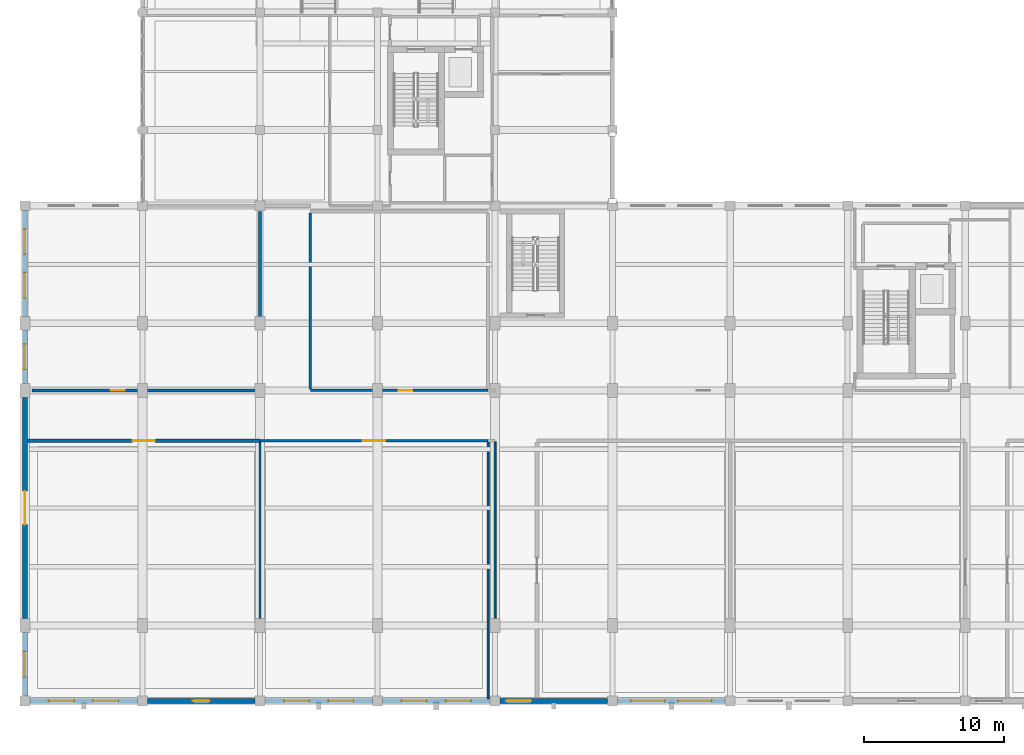
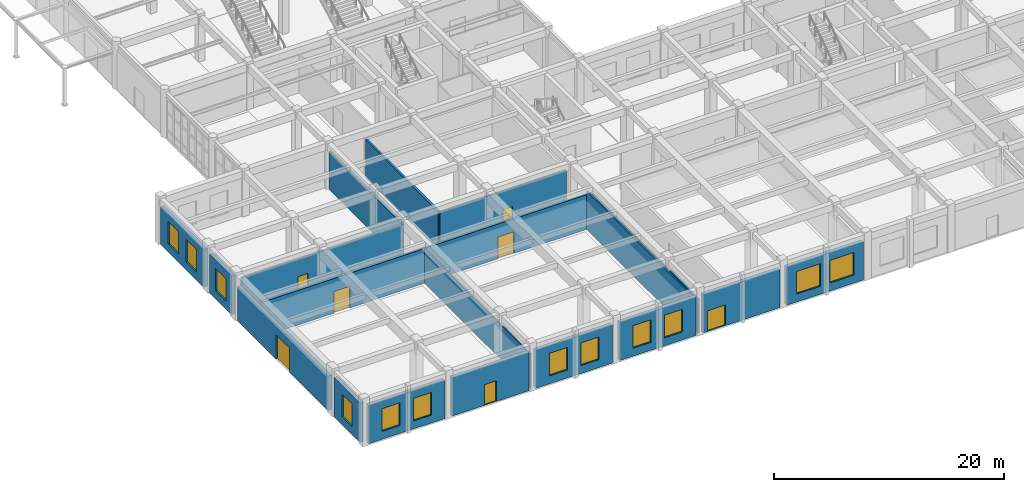
# One storey, part 55 of 80: 19 walls, 12 windows, 7 doors, 19 openings.
"""IFC4 building model written with IfcOpenShell, lengths in metres."""

import ifcopenshell
import ifcopenshell.guid

model = None  # the IFC model being written
_history = None  # IfcOwnerHistory: only IFC2X3 demands one
_inside = {}  # id of a spatial element -> (the spatial element, [elements in it])
_under = {}  # id of a project, library or spatial element -> (it, [spatial elements below it])
_declared = {}  # id of a project -> (the project, [libraries it declares])
_typed = {}  # id of a type object -> (the type object, [elements of that type])
_made_of = {}  # id of a material, layer set ... -> (it, [elements and type objects made of it])


def new_model(schema):
    """Start an empty IFC model of exactly this schema.

    Asked for "IFC4X3", IfcOpenShell would pick the latest addendum, in which some entities
    have other attributes; the version numbers below select the first issue.
    IFC2X3 requires an IfcOwnerHistory on every rooted entity: one is made here for all.
    """
    global model, _history
    if schema == "IFC4X3":
        model = ifcopenshell.file(schema_version=(4, 3, 0, 0))
    else:
        model = ifcopenshell.file(schema=schema)
    _inside.clear()
    _under.clear()
    _declared.clear()
    _typed.clear()
    _made_of.clear()
    _history = None
    if model.schema == "IFC2X3":
        org = make("IfcOrganization", Name="unknown")
        user = make(
            "IfcPersonAndOrganization",
            ThePerson=make("IfcPerson", FamilyName="unknown"),
            TheOrganization=org,
        )
        app = make(
            "IfcApplication",
            ApplicationDeveloper=org,
            Version="unknown",
            ApplicationFullName="unknown",
            ApplicationIdentifier="unknown",
        )
        _history = make(
            "IfcOwnerHistory",
            OwningUser=user,
            OwningApplication=app,
            ChangeAction="ADDED",
            CreationDate=0,
        )
    return model


def make(cls, **values):
    """One entity of the class cls with the attributes given. An attribute that is None is left unset."""
    return model.create_entity(
        cls, **{name: value for name, value in values.items() if value is not None}
    )


def rooted(cls, **values):
    """An entity with a GlobalId (a new one), such as an element, a storey or a relation."""
    return make(cls, GlobalId=ifcopenshell.guid.new(), OwnerHistory=_history, **values)


def si_unit(unit_type, name, prefix=None):
    """IfcSIUnit, for example si_unit("LENGTHUNIT", "METRE", prefix="MILLI")."""
    return make("IfcSIUnit", UnitType=unit_type, Prefix=prefix, Name=name)


def assignment(units):
    """IfcUnitAssignment: the units of a project."""
    return None if units is None else make("IfcUnitAssignment", Units=units)


def point(xyz):
    """IfcCartesianPoint."""
    return None if xyz is None else make("IfcCartesianPoint", Coordinates=xyz)


def direction(xyz):
    """IfcDirection."""
    return None if xyz is None else make("IfcDirection", DirectionRatios=xyz)


def frame(location, z_axis=None, x_axis=None):
    """IfcAxis2Placement3D, a coordinate frame: its origin and axes. An axis left out is left unset."""
    return make(
        "IfcAxis2Placement3D",
        Location=point(location),
        Axis=direction(z_axis),
        RefDirection=direction(x_axis),
    )


def frame_2d(location, x_axis=None):
    """IfcAxis2Placement2D, a coordinate frame in the plane: its origin and x axis."""
    return make(
        "IfcAxis2Placement2D", Location=point(location), RefDirection=direction(x_axis)
    )


def origin():
    """The frame at (0, 0, 0) with its axes left unset."""
    return frame((0.0, 0.0, 0.0))


def place(relative_to, where):
    """IfcLocalPlacement: puts the frame where relative to a parent placement (None: the world)."""
    return make(
        "IfcLocalPlacement", PlacementRelTo=relative_to, RelativePlacement=where
    )


def context(
    kind, dimensions, precision=None, world=None, true_north=None, identifier=None
):
    """IfcGeometricRepresentationContext, for example the 3D "Model" context."""
    return make(
        "IfcGeometricRepresentationContext",
        ContextIdentifier=identifier,
        ContextType=kind,
        CoordinateSpaceDimension=dimensions,
        Precision=precision,
        WorldCoordinateSystem=world,
        TrueNorth=true_north,
    )


def subcontext(parent, identifier, kind, view, scale=None):
    """IfcGeometricRepresentationSubContext, for example "Body" below "Model"."""
    return make(
        "IfcGeometricRepresentationSubContext",
        ContextIdentifier=identifier,
        ContextType=kind,
        ParentContext=parent,
        TargetScale=scale,
        TargetView=view,
    )


def project(units=None, contexts=None):
    """IfcProject with its units and contexts."""
    return rooted(
        "IfcProject",
        Name="project",
        RepresentationContexts=contexts,
        UnitsInContext=assignment(units),
    )


def spatial(cls, under=None, at=None, **own):
    """A site, building, storey or space (cls), placed at a placement, below another one or the project."""
    s = rooted(cls, ObjectPlacement=at, **own)
    if under is not None:
        _under.setdefault(under.id(), (under, []))[1].append(s)
    return s


def profile(cls, at=None, kind="AREA", **sizes):
    """A parametric profile (cls). Its sizes go by their IFC names, for example OverallWidth=200.0."""
    return make(cls, ProfileType=kind, Position=at, **sizes)


def rectangle(**sizes):
    """IfcRectangleProfileDef."""
    return profile("IfcRectangleProfileDef", **sizes)


def extrude(swept, where, along, depth):
    """IfcExtrudedAreaSolid: the profile swept, set in the frame where, extruded along a direction by depth."""
    return make(
        "IfcExtrudedAreaSolid",
        SweptArea=swept,
        Position=where,
        ExtrudedDirection=direction(along),
        Depth=depth,
    )


def shape(context_of_items, identifier, shape_type, items):
    """IfcShapeRepresentation: the items that make up one representation, for example the "Body"."""
    return make(
        "IfcShapeRepresentation",
        ContextOfItems=context_of_items,
        RepresentationIdentifier=identifier,
        RepresentationType=shape_type,
        Items=items,
    )


def material(Name=None, Category=None):
    """IfcMaterial."""
    return make("IfcMaterial", Name=Name, Category=Category)


def layer(
    of_material, thickness, ventilated=None, Name=None, Category=None, Priority=None
):
    """IfcMaterialLayer: one layer of a wall or slab, of a material (None: an air gap)."""
    return make(
        "IfcMaterialLayer",
        Material=of_material,
        LayerThickness=thickness,
        IsVentilated=ventilated,
        Name=Name,
        Category=Category,
        Priority=Priority,
    )


def layer_set(layers, Name=None):
    """IfcMaterialLayerSet."""
    return make("IfcMaterialLayerSet", MaterialLayers=layers, LayerSetName=Name)


def made_of(thing, what):
    """Note that an element or type object is made of a material, layer set ...; save() writes the relation."""
    if what is not None:
        _made_of.setdefault(what.id(), (what, []))[1].append(thing)
    return thing


def type_object(cls, material=None, **own):
    """A type object (cls), such as IfcWallType, which elements share."""
    return made_of(rooted(cls, **own), material)


def element(
    cls,
    number,
    at=None,
    inside=None,
    cuts=None,
    type_object=None,
    material=None,
    context=None,
    identifier="Body",
    shape_type=None,
    held_by="IfcProductDefinitionShape",
    body=None,
    shapes=None,
    **own,
):
    """One element of the class cls, such as IfcWall. Its Tag is "e" and its number.

    at: its placement. inside: the storey or other place that contains it. cuts: it is an
    opening in that element (IfcRelVoidsElement). A single representation is given by context,
    identifier, shape_type and body (its items); several are given by shapes. held_by: the class
    of the entity that holds the representations. save() writes the other relations.
    """
    e = rooted(cls, Tag="e%d" % number, ObjectPlacement=at, **own)
    if body is not None:
        shapes = [shape(context, identifier, shape_type, body)]
    if shapes is not None:
        e.Representation = make(held_by, Representations=shapes)
    if inside is not None:
        _inside.setdefault(inside.id(), (inside, []))[1].append(e)
    if cuts is not None:
        rooted(
            "IfcRelVoidsElement", RelatingBuildingElement=cuts, RelatedOpeningElement=e
        )
    if type_object is not None:
        _typed.setdefault(type_object.id(), (type_object, []))[1].append(e)
    return made_of(e, material)


def fill(opening, filler):
    """IfcRelFillsElement: the door or window that sits in an opening."""
    return rooted(
        "IfcRelFillsElement",
        RelatingOpeningElement=opening,
        RelatedBuildingElement=filler,
    )


def aggregate(whole, parts):
    """IfcRelAggregates: a whole, such as a stair, and the parts it consists of."""
    return rooted("IfcRelAggregates", RelatingObject=whole, RelatedObjects=parts)


def save(model, path):
    """Write the relations noted so far, then the file.

    IfcRelAggregates (storeys below a building ...), IfcRelContainedInSpatialStructure (elements
    in a storey), IfcRelDefinesByType, IfcRelAssociatesMaterial and IfcRelDeclares: one each for
    every whole, place, type object, material and project.
    """
    for whole, parts in _under.values():
        aggregate(whole, parts)
    for where, things in _inside.values():
        rooted(
            "IfcRelContainedInSpatialStructure",
            RelatedElements=things,
            RelatingStructure=where,
        )
    for kind, things in _typed.values():
        rooted("IfcRelDefinesByType", RelatedObjects=things, RelatingType=kind)
    for what, things in _made_of.values():
        rooted("IfcRelAssociatesMaterial", RelatedObjects=things, RelatingMaterial=what)
    for by, libraries in _declared.values():
        rooted("IfcRelDeclares", RelatingContext=by, RelatedDefinitions=libraries)
    model.write(path)


model = new_model("IFC4")

# Units and contexts
model_context = context("Model", 3, precision=1e-05, world=origin(), true_north=direction((0.0, 1.0)))
body_context = subcontext(model_context, "Body", "Model", "MODEL_VIEW")
ifc_project = project(units=[si_unit("LENGTHUNIT", "METRE"), si_unit("AREAUNIT", "SQUARE_METRE"), si_unit("VOLUMEUNIT", "CUBIC_METRE"), si_unit("PLANEANGLEUNIT", "RADIAN"), si_unit("MASSUNIT", "GRAM", prefix="KILO")], contexts=[model_context])

# Site, building, storey
site_placement = place(None, origin())
site = spatial("IfcSite", under=ifc_project, at=site_placement, CompositionType="ELEMENT")
building_placement = place(site_placement, origin())
building = spatial("IfcBuilding", under=site, at=building_placement, Name="Krzemoval Escarpment Law Courts", CompositionType="ELEMENT")
storey_placement = place(building_placement, origin())
storey = spatial("IfcBuildingStorey", under=building, at=storey_placement, Name="L00", CompositionType="ELEMENT", Elevation=0.0)

# Wall, openings, windows
ifc_material_1 = material(Name="Precast concrete C40/50", Category="concrete")
ifc_layer_1 = layer(ifc_material_1, 0.360107421875)
ifc_layer_set_1 = layer_set([ifc_layer_1], Name="Precast concrete C40/50")
wall_type_1 = type_object("IfcWallType", Name="WL-EXT-360", PredefinedType="SOLIDWALL", material=ifc_layer_set_1)
wall_1_placement = place(storey_placement, frame((50.050048828125, 0.0, 0.0), z_axis=(0.0, 0.0, 1.0), x_axis=(-1.0, 0.0, 0.0)))
wall_1 = element("IfcWall", 1, at=wall_1_placement, inside=storey, type_object=wall_type_1, Name="Exterior Wall EW-L00-0141", PredefinedType="SOLIDWALL", context=body_context, shape_type="SweptSolid", body=[
    extrude(rectangle(XDim=7.699951171875, YDim=0.360107421875, at=frame_2d((3.85009765625, 0.0))), origin(), (0.0, 0.0, 1.0), 4.070068359375),
])
opening_1_placement = place(wall_1_placement, frame((0.967041015625, 0.0, 0.85009765625)))
opening_1 = element("IfcOpeningElement", 2, at=opening_1_placement, cuts=wall_1, Name="Opening WN-L00-0096", PredefinedType="OPENING", context=body_context, shape_type="SweptSolid", body=[
    extrude(rectangle(XDim=2.39990234375, YDim=2.39990234375, at=frame_2d((1.199951171875, 1.199951171875))), frame((0.0, 0.19505, 0.0), z_axis=(0.0, -1.0, 0.0), x_axis=(1.0, 0.0, 0.0)), (0.0, 0.0, 1.0), 0.39011),
])
opening_2_placement = place(wall_1_placement, frame((4.3330078125, 0.0, 0.85009765625)))
opening_2 = element("IfcOpeningElement", 3, at=opening_2_placement, cuts=wall_1, Name="Opening WN-L00-0097", PredefinedType="OPENING", context=body_context, shape_type="SweptSolid", body=[
    extrude(rectangle(XDim=2.39990234375, YDim=2.39990234375, at=frame_2d((1.199951171875, 1.199951171875))), frame((0.0, 0.19505, 0.0), z_axis=(0.0, -1.0, 0.0), x_axis=(1.0, 0.0, 0.0)), (0.0, 0.0, 1.0), 0.39011),
])
ifc_material_2 = material(Name="Thermally Broken Aluminium Frame with Triple Low-E Acoustic Glass", Category="aluminium")
window_type_1 = type_object("IfcWindowType", Name="WN-2400x2400", PartitioningType="SINGLE_PANEL", PredefinedType="WINDOW", material=ifc_material_2)
window_1_placement = place(opening_1_placement, origin())
window_1 = element("IfcWindow", 4, at=window_1_placement, inside=storey, type_object=window_type_1, Name="Facade Window WN-L00-0096", OverallHeight=2.39990234375, OverallWidth=2.39990234375, PartitioningType="SINGLE_PANEL", PredefinedType="WINDOW", context=body_context, shape_type="SweptSolid", body=[
    extrude(rectangle(XDim=2.39990234375, YDim=2.39990234375, at=frame_2d((1.199951171875, 1.199951171875))), frame((0.0, 0.030029296875, 0.0), z_axis=(0.0, -1.0, 0.0), x_axis=(1.0, 0.0, 0.0)), (0.0, 0.0, 1.0), 0.06005859375),
])
fill(opening_1, window_1)
window_2_placement = place(opening_2_placement, origin())
window_2 = element("IfcWindow", 5, at=window_2_placement, inside=storey, type_object=window_type_1, Name="Facade Window WN-L00-0097", OverallHeight=2.39990234375, OverallWidth=2.39990234375, PartitioningType="SINGLE_PANEL", PredefinedType="WINDOW", context=body_context, shape_type="SweptSolid", body=[
    extrude(rectangle(XDim=2.39990234375, YDim=2.39990234375, at=frame_2d((1.199951171875, 1.199951171875))), frame((0.0, 0.030029296875, 0.0), z_axis=(0.0, -1.0, 0.0), x_axis=(1.0, 0.0, 0.0)), (0.0, 0.0, 1.0), 0.06005859375),
])
fill(opening_2, window_2)

# Wall, opening, door
wall_2_placement = place(storey_placement, frame((41.64990234375, 0.0, 0.0), z_axis=(0.0, 0.0, 1.0), x_axis=(-1.0, 0.0, 0.0)))
wall_2 = element("IfcWall", 6, at=wall_2_placement, inside=storey, type_object=wall_type_1, Name="Exterior Wall EW-L00-0142", PredefinedType="SOLIDWALL", context=body_context, shape_type="SweptSolid", body=[
    extrude(rectangle(XDim=7.699951171875, YDim=0.360107421875, at=frame_2d((3.85009765625, 0.0))), origin(), (0.0, 0.0, 1.0), 4.070068359375),
])
opening_3_placement = place(wall_2_placement, frame((5.449951171875, 0.0, 0.0)))
opening_3 = element("IfcOpeningElement", 7, at=opening_3_placement, cuts=wall_2, Name="Opening E09A", PredefinedType="OPENING", context=body_context, shape_type="SweptSolid", body=[
    extrude(rectangle(XDim=1.800048828125, YDim=2.199951171875, at=frame_2d((0.89990234375, 1.10009765625))), frame((0.0, 0.19505, 0.0), z_axis=(0.0, -1.0, 0.0), x_axis=(1.0, 0.0, 0.0)), (0.0, 0.0, 1.0), 0.39011),
])
ifc_material_3 = material(Name="Galvanised Steel S355", Category="steel")
door_type_1 = type_object("IfcDoorType", Name="DR-EXIT-1800x2200", OperationType="SINGLE_SWING_LEFT", PredefinedType="DOOR", material=ifc_material_3)
door_1_placement = place(opening_3_placement, origin())
door_1 = element("IfcDoor", 8, at=door_1_placement, inside=storey, type_object=door_type_1, Name="Final Exit Discharge Door E09A (Stair ST9 South Street)", OperationType="DOUBLE_DOOR_SINGLE_SWING", OverallHeight=2.199951171875, OverallWidth=1.800048828125, PredefinedType="DOOR", context=body_context, shape_type="SweptSolid", body=[
    extrude(rectangle(XDim=1.800048828125, YDim=2.199951171875, at=frame_2d((0.89990234375, 1.10009765625))), frame((0.0, 0.02490234375, 0.0), z_axis=(0.0, -1.0, 0.0), x_axis=(1.0, 0.0, 0.0)), (0.0, 0.0, 1.0), 0.050048828125),
])
fill(opening_3, door_1)

# Wall, openings, windows
wall_3_placement = place(storey_placement, frame((33.25, 0.0, 0.0), z_axis=(0.0, 0.0, 1.0), x_axis=(-1.0, 0.0, 0.0)))
wall_3 = element("IfcWall", 9, at=wall_3_placement, inside=storey, type_object=wall_type_1, Name="Exterior Wall EW-L00-0143", PredefinedType="SOLIDWALL", context=body_context, shape_type="SweptSolid", body=[
    extrude(rectangle(XDim=7.699951171875, YDim=0.360107421875, at=frame_2d((3.85009765625, 0.0))), origin(), (0.0, 0.0, 1.0), 4.070068359375),
])
opening_4_placement = place(wall_3_placement, frame((1.366943359375, 0.0, 0.85009765625)))
opening_4 = element("IfcOpeningElement", 10, at=opening_4_placement, cuts=wall_3, Name="Opening WN-L00-0098", PredefinedType="OPENING", context=body_context, shape_type="SweptSolid", body=[
    extrude(rectangle(XDim=1.800048828125, YDim=2.39990234375, at=frame_2d((0.89990234375, 1.199951171875))), frame((0.0, 0.19505, 0.0), z_axis=(0.0, -1.0, 0.0), x_axis=(1.0, 0.0, 0.0)), (0.0, 0.0, 1.0), 0.39011),
])
opening_5_placement = place(wall_3_placement, frame((4.532958984375, 0.0, 0.85009765625)))
opening_5 = element("IfcOpeningElement", 11, at=opening_5_placement, cuts=wall_3, Name="Opening WN-L00-0099", PredefinedType="OPENING", context=body_context, shape_type="SweptSolid", body=[
    extrude(rectangle(XDim=1.800048828125, YDim=2.39990234375, at=frame_2d((0.89990234375, 1.199951171875))), frame((0.0, 0.19505, 0.0), z_axis=(0.0, -1.0, 0.0), x_axis=(1.0, 0.0, 0.0)), (0.0, 0.0, 1.0), 0.39011),
])
ifc_material_4 = material(Name="Thermally Broken Aluminium Frame with Triple Low-E Acoustic Glass", Category="aluminium")
window_type_2 = type_object("IfcWindowType", Name="WN-1800x2400", PartitioningType="SINGLE_PANEL", PredefinedType="WINDOW", material=ifc_material_4)
window_3_placement = place(opening_4_placement, origin())
window_3 = element("IfcWindow", 12, at=window_3_placement, inside=storey, type_object=window_type_2, Name="Facade Window WN-L00-0098", OverallHeight=2.39990234375, OverallWidth=1.800048828125, PartitioningType="SINGLE_PANEL", PredefinedType="WINDOW", context=body_context, shape_type="SweptSolid", body=[
    extrude(rectangle(XDim=1.800048828125, YDim=2.39990234375, at=frame_2d((0.89990234375, 1.199951171875))), frame((0.0, 0.030029296875, 0.0), z_axis=(0.0, -1.0, 0.0), x_axis=(1.0, 0.0, 0.0)), (0.0, 0.0, 1.0), 0.06005859375),
])
fill(opening_4, window_3)
window_4_placement = place(opening_5_placement, origin())
window_4 = element("IfcWindow", 13, at=window_4_placement, inside=storey, type_object=window_type_2, Name="Facade Window WN-L00-0099", OverallHeight=2.39990234375, OverallWidth=1.800048828125, PartitioningType="SINGLE_PANEL", PredefinedType="WINDOW", context=body_context, shape_type="SweptSolid", body=[
    extrude(rectangle(XDim=1.800048828125, YDim=2.39990234375, at=frame_2d((0.89990234375, 1.199951171875))), frame((0.0, 0.030029296875, 0.0), z_axis=(0.0, -1.0, 0.0), x_axis=(1.0, 0.0, 0.0)), (0.0, 0.0, 1.0), 0.06005859375),
])
fill(opening_5, window_4)

wall_4_placement = place(storey_placement, frame((24.85009765625, 0.0, 0.0), z_axis=(0.0, 0.0, 1.0), x_axis=(-1.0, 0.0, 0.0)))
wall_4 = element("IfcWall", 14, at=wall_4_placement, inside=storey, type_object=wall_type_1, Name="Exterior Wall EW-L00-0144", PredefinedType="SOLIDWALL", context=body_context, shape_type="SweptSolid", body=[
    extrude(rectangle(XDim=7.7001953125, YDim=0.360107421875, at=frame_2d((3.85009765625, 0.0))), origin(), (0.0, 0.0, 1.0), 4.070068359375),
])
opening_6_placement = place(wall_4_placement, frame((1.366943359375, 0.0, 0.85009765625)))
opening_6 = element("IfcOpeningElement", 15, at=opening_6_placement, cuts=wall_4, Name="Opening WN-L00-0100", PredefinedType="OPENING", context=body_context, shape_type="SweptSolid", body=[
    extrude(rectangle(XDim=1.800048828125, YDim=2.39990234375, at=frame_2d((0.89990234375, 1.199951171875))), frame((0.0, 0.19505, 0.0), z_axis=(0.0, -1.0, 0.0), x_axis=(1.0, 0.0, 0.0)), (0.0, 0.0, 1.0), 0.39011),
])
opening_7_placement = place(wall_4_placement, frame((4.532958984375, 0.0, 0.85009765625)))
opening_7 = element("IfcOpeningElement", 16, at=opening_7_placement, cuts=wall_4, Name="Opening WN-L00-0101", PredefinedType="OPENING", context=body_context, shape_type="SweptSolid", body=[
    extrude(rectangle(XDim=1.800048828125, YDim=2.39990234375, at=frame_2d((0.89990234375, 1.199951171875))), frame((0.0, 0.19505, 0.0), z_axis=(0.0, -1.0, 0.0), x_axis=(1.0, 0.0, 0.0)), (0.0, 0.0, 1.0), 0.39011),
])
window_5_placement = place(opening_6_placement, origin())
window_5 = element("IfcWindow", 17, at=window_5_placement, inside=storey, type_object=window_type_2, Name="Facade Window WN-L00-0100", OverallHeight=2.39990234375, OverallWidth=1.800048828125, PartitioningType="SINGLE_PANEL", PredefinedType="WINDOW", context=body_context, shape_type="SweptSolid", body=[
    extrude(rectangle(XDim=1.800048828125, YDim=2.39990234375, at=frame_2d((0.89990234375, 1.199951171875))), frame((0.0, 0.030029296875, 0.0), z_axis=(0.0, -1.0, 0.0), x_axis=(1.0, 0.0, 0.0)), (0.0, 0.0, 1.0), 0.06005859375),
])
fill(opening_6, window_5)
window_6_placement = place(opening_7_placement, origin())
window_6 = element("IfcWindow", 18, at=window_6_placement, inside=storey, type_object=window_type_2, Name="Facade Window WN-L00-0101", OverallHeight=2.39990234375, OverallWidth=1.800048828125, PartitioningType="SINGLE_PANEL", PredefinedType="WINDOW", context=body_context, shape_type="SweptSolid", body=[
    extrude(rectangle(XDim=1.800048828125, YDim=2.39990234375, at=frame_2d((0.89990234375, 1.199951171875))), frame((0.0, 0.030029296875, 0.0), z_axis=(0.0, -1.0, 0.0), x_axis=(1.0, 0.0, 0.0)), (0.0, 0.0, 1.0), 0.06005859375),
])
fill(opening_7, window_6)

# Wall, opening, door
wall_5_placement = place(storey_placement, frame((16.449951171875, 0.0, 0.0), z_axis=(0.0, 0.0, 1.0), x_axis=(-1.0, 0.0, 0.0)))
wall_5 = element("IfcWall", 19, at=wall_5_placement, inside=storey, type_object=wall_type_1, Name="Exterior Wall EW-L00-0145", PredefinedType="SOLIDWALL", context=body_context, shape_type="SweptSolid", body=[
    extrude(rectangle(XDim=7.699951171875, YDim=0.360107421875, at=frame_2d((3.85009765625, 0.0))), origin(), (0.0, 0.0, 1.0), 4.070068359375),
])
opening_8_placement = place(wall_5_placement, frame((3.25, 0.0, 0.0)))
opening_8 = element("IfcOpeningElement", 20, at=opening_8_placement, cuts=wall_5, Name="Opening ED-L00-16", PredefinedType="OPENING", context=body_context, shape_type="SweptSolid", body=[
    extrude(rectangle(XDim=1.199951171875, YDim=2.199951171875, at=frame_2d((0.60009765625, 1.10009765625))), frame((0.0, 0.19505, 0.0), z_axis=(0.0, -1.0, 0.0), x_axis=(1.0, 0.0, 0.0)), (0.0, 0.0, 1.0), 0.39011),
])
ifc_material_5 = material(Name="Galvanised Steel S355", Category="steel")
door_type_2 = type_object("IfcDoorType", Name="DR-EXT-1200x2200", OperationType="SINGLE_SWING_LEFT", PredefinedType="DOOR", material=ifc_material_5)
door_2_placement = place(opening_8_placement, origin())
door_2 = element("IfcDoor", 21, at=door_2_placement, inside=storey, type_object=door_type_2, Name="Ground Entrance Door ED-L00-16", OperationType="SINGLE_SWING_LEFT", OverallHeight=2.199951171875, OverallWidth=1.199951171875, PredefinedType="DOOR", context=body_context, shape_type="SweptSolid", body=[
    extrude(rectangle(XDim=1.199951171875, YDim=2.199951171875, at=frame_2d((0.60009765625, 1.10009765625))), frame((0.0, 0.02490234375, 0.0), z_axis=(0.0, -1.0, 0.0), x_axis=(1.0, 0.0, 0.0)), (0.0, 0.0, 1.0), 0.050048828125),
])
fill(opening_8, door_2)

# Wall, openings, windows
wall_6_placement = place(storey_placement, frame((8.050048828125, 0.0, 0.0), z_axis=(0.0, 0.0, 1.0), x_axis=(-1.0, 0.0, 0.0)))
wall_6 = element("IfcWall", 22, at=wall_6_placement, inside=storey, type_object=wall_type_1, Name="Exterior Wall EW-L00-0146", PredefinedType="SOLIDWALL", context=body_context, shape_type="SweptSolid", body=[
    extrude(rectangle(XDim=7.699951171875, YDim=0.360107421875, at=frame_2d((3.85009765625, 0.0))), origin(), (0.0, 0.0, 1.0), 4.070068359375),
])
opening_9_placement = place(wall_6_placement, frame((1.366943359375, 0.0, 0.85009765625)))
opening_9 = element("IfcOpeningElement", 23, at=opening_9_placement, cuts=wall_6, Name="Opening WN-L00-0102", PredefinedType="OPENING", context=body_context, shape_type="SweptSolid", body=[
    extrude(rectangle(XDim=1.800048828125, YDim=2.39990234375, at=frame_2d((0.89990234375, 1.199951171875))), frame((0.0, 0.19505, 0.0), z_axis=(0.0, -1.0, 0.0), x_axis=(1.0, 0.0, 0.0)), (0.0, 0.0, 1.0), 0.39011),
])
opening_10_placement = place(wall_6_placement, frame((4.532958984375, 0.0, 0.85009765625)))
opening_10 = element("IfcOpeningElement", 24, at=opening_10_placement, cuts=wall_6, Name="Opening WN-L00-0103", PredefinedType="OPENING", context=body_context, shape_type="SweptSolid", body=[
    extrude(rectangle(XDim=1.800048828125, YDim=2.39990234375, at=frame_2d((0.89990234375, 1.199951171875))), frame((0.0, 0.19505, 0.0), z_axis=(0.0, -1.0, 0.0), x_axis=(1.0, 0.0, 0.0)), (0.0, 0.0, 1.0), 0.39011),
])
window_7_placement = place(opening_9_placement, origin())
window_7 = element("IfcWindow", 25, at=window_7_placement, inside=storey, type_object=window_type_2, Name="Facade Window WN-L00-0102", OverallHeight=2.39990234375, OverallWidth=1.800048828125, PartitioningType="SINGLE_PANEL", PredefinedType="WINDOW", context=body_context, shape_type="SweptSolid", body=[
    extrude(rectangle(XDim=1.800048828125, YDim=2.39990234375, at=frame_2d((0.89990234375, 1.199951171875))), frame((0.0, 0.030029296875, 0.0), z_axis=(0.0, -1.0, 0.0), x_axis=(1.0, 0.0, 0.0)), (0.0, 0.0, 1.0), 0.06005859375),
])
fill(opening_9, window_7)
window_8_placement = place(opening_10_placement, origin())
window_8 = element("IfcWindow", 26, at=window_8_placement, inside=storey, type_object=window_type_2, Name="Facade Window WN-L00-0103", OverallHeight=2.39990234375, OverallWidth=1.800048828125, PartitioningType="SINGLE_PANEL", PredefinedType="WINDOW", context=body_context, shape_type="SweptSolid", body=[
    extrude(rectangle(XDim=1.800048828125, YDim=2.39990234375, at=frame_2d((0.89990234375, 1.199951171875))), frame((0.0, 0.030029296875, 0.0), z_axis=(0.0, -1.0, 0.0), x_axis=(1.0, 0.0, 0.0)), (0.0, 0.0, 1.0), 0.06005859375),
])
fill(opening_10, window_8)

# Wall, opening, window
wall_7_placement = place(storey_placement, frame((0.0, 0.35009765625, 0.0), z_axis=(0.0, 0.0, 1.0), x_axis=(0.0, 1.0, 0.0)))
wall_7 = element("IfcWall", 27, at=wall_7_placement, inside=storey, type_object=wall_type_1, Name="Exterior Wall EW-L00-0147", PredefinedType="SOLIDWALL", context=body_context, shape_type="SweptSolid", body=[
    extrude(rectangle(XDim=4.5498046875, YDim=0.360107421875, at=frame_2d((2.27490234375, 0.0))), origin(), (0.0, 0.0, 1.0), 4.169921875),
])
opening_11_placement = place(wall_7_placement, frame((1.375, 0.0, 0.85009765625)))
opening_11 = element("IfcOpeningElement", 28, at=opening_11_placement, cuts=wall_7, Name="Opening WN-L00-0104", PredefinedType="OPENING", context=body_context, shape_type="SweptSolid", body=[
    extrude(rectangle(XDim=1.800048828125, YDim=2.39990234375, at=frame_2d((0.89990234375, 1.199951171875))), frame((0.0, 0.19505, 0.0), z_axis=(0.0, -1.0, 0.0), x_axis=(1.0, 0.0, 0.0)), (0.0, 0.0, 1.0), 0.39011),
])
window_9_placement = place(opening_11_placement, origin())
window_9 = element("IfcWindow", 29, at=window_9_placement, inside=storey, type_object=window_type_2, Name="Facade Window WN-L00-0104", OverallHeight=2.39990234375, OverallWidth=1.800048828125, PartitioningType="SINGLE_PANEL", PredefinedType="WINDOW", context=body_context, shape_type="SweptSolid", body=[
    extrude(rectangle(XDim=1.800048828125, YDim=2.39990234375, at=frame_2d((0.89990234375, 1.199951171875))), frame((0.0, 0.030029296875, 0.0), z_axis=(0.0, -1.0, 0.0), x_axis=(1.0, 0.0, 0.0)), (0.0, 0.0, 1.0), 0.06005859375),
])
fill(opening_11, window_9)

# Wall, opening, door
wall_8_placement = place(storey_placement, frame((0.0, 5.89990234375, 0.0), z_axis=(0.0, 0.0, 1.0), x_axis=(0.0, 1.0, 0.0)))
wall_8 = element("IfcWall", 30, at=wall_8_placement, inside=storey, type_object=wall_type_1, Name="Exterior Wall EW-L00-0148", PredefinedType="SOLIDWALL", context=body_context, shape_type="SweptSolid", body=[
    extrude(rectangle(XDim=15.800048828125, YDim=0.360107421875, at=frame_2d((7.89990234375, 0.0))), origin(), (0.0, 0.0, 1.0), 3.669921875),
])
opening_12_placement = place(wall_8_placement, frame((6.699951171875, 0.0, 0.0)))
opening_12 = element("IfcOpeningElement", 31, at=opening_12_placement, cuts=wall_8, Name="Opening ED-L00-17", PredefinedType="OPENING", context=body_context, shape_type="SweptSolid", body=[
    extrude(rectangle(XDim=2.39990234375, YDim=2.60009765625, at=frame_2d((1.199951171875, 1.300048828125))), frame((0.0, 0.19505, 0.0), z_axis=(0.0, -1.0, 0.0), x_axis=(1.0, 0.0, 0.0)), (0.0, 0.0, 1.0), 0.39011),
])
ifc_material_6 = material(Name="Thermally Broken Aluminium and Laminated Safety Glass", Category="aluminium")
door_type_3 = type_object("IfcDoorType", Name="DR-ENT-2400x2600", OperationType="SINGLE_SWING_LEFT", PredefinedType="DOOR", material=ifc_material_6)
door_3_placement = place(opening_12_placement, origin())
door_3 = element("IfcDoor", 32, at=door_3_placement, inside=storey, type_object=door_type_3, Name="Ground Entrance Door ED-L00-17", OperationType="DOUBLE_DOOR_SINGLE_SWING", OverallHeight=2.60009765625, OverallWidth=2.39990234375, PredefinedType="DOOR", context=body_context, shape_type="SweptSolid", body=[
    extrude(rectangle(XDim=2.39990234375, YDim=2.60009765625, at=frame_2d((1.199951171875, 1.300048828125))), frame((0.0, 0.02490234375, 0.0), z_axis=(0.0, -1.0, 0.0), x_axis=(1.0, 0.0, 0.0)), (0.0, 0.0, 1.0), 0.050048828125),
])
fill(opening_12, door_3)

# Wall, opening, window
wall_9_placement = place(storey_placement, frame((0.0, 22.699951171875, 0.0), z_axis=(0.0, 0.0, 1.0), x_axis=(0.0, 1.0, 0.0)))
wall_9 = element("IfcWall", 33, at=wall_9_placement, inside=storey, type_object=wall_type_1, Name="Exterior Wall EW-L00-0149", PredefinedType="SOLIDWALL", context=body_context, shape_type="SweptSolid", body=[
    extrude(rectangle(XDim=3.800048828125, YDim=0.360107421875, at=frame_2d((1.89990234375, 0.0))), origin(), (0.0, 0.0, 1.0), 4.169921875),
])
opening_13_placement = place(wall_9_placement, frame((1.0, 0.0, 0.85009765625)))
opening_13 = element("IfcOpeningElement", 34, at=opening_13_placement, cuts=wall_9, Name="Opening WN-L00-0105", PredefinedType="OPENING", context=body_context, shape_type="SweptSolid", body=[
    extrude(rectangle(XDim=1.800048828125, YDim=2.39990234375, at=frame_2d((0.89990234375, 1.199951171875))), frame((0.0, 0.19505, 0.0), z_axis=(0.0, -1.0, 0.0), x_axis=(1.0, 0.0, 0.0)), (0.0, 0.0, 1.0), 0.39011),
])
window_10_placement = place(opening_13_placement, origin())
window_10 = element("IfcWindow", 35, at=window_10_placement, inside=storey, type_object=window_type_2, Name="Facade Window WN-L00-0105", OverallHeight=2.39990234375, OverallWidth=1.800048828125, PartitioningType="SINGLE_PANEL", PredefinedType="WINDOW", context=body_context, shape_type="SweptSolid", body=[
    extrude(rectangle(XDim=1.800048828125, YDim=2.39990234375, at=frame_2d((0.89990234375, 1.199951171875))), frame((0.0, 0.030029296875, 0.0), z_axis=(0.0, -1.0, 0.0), x_axis=(1.0, 0.0, 0.0)), (0.0, 0.0, 1.0), 0.06005859375),
])
fill(opening_13, window_10)

# Wall, openings, windows
wall_10_placement = place(storey_placement, frame((0.0, 27.5, 0.0), z_axis=(0.0, 0.0, 1.0), x_axis=(0.0, 1.0, 0.0)))
wall_10 = element("IfcWall", 36, at=wall_10_placement, inside=storey, type_object=wall_type_1, Name="Exterior Wall EW-L00-0150", PredefinedType="SOLIDWALL", context=body_context, shape_type="SweptSolid", body=[
    extrude(rectangle(XDim=7.550048828125, YDim=0.360107421875, at=frame_2d((3.77490234375, 0.0))), origin(), (0.0, 0.0, 1.0), 4.02001953125),
])
opening_14_placement = place(wall_10_placement, frame((1.31689453125, 0.0, 0.85009765625)))
opening_14 = element("IfcOpeningElement", 37, at=opening_14_placement, cuts=wall_10, Name="Opening WN-L00-0106", PredefinedType="OPENING", context=body_context, shape_type="SweptSolid", body=[
    extrude(rectangle(XDim=1.800048828125, YDim=2.39990234375, at=frame_2d((0.89990234375, 1.199951171875))), frame((0.0, 0.19505, 0.0), z_axis=(0.0, -1.0, 0.0), x_axis=(1.0, 0.0, 0.0)), (0.0, 0.0, 1.0), 0.39011),
])
opening_15_placement = place(wall_10_placement, frame((4.43310546875, 0.0, 0.85009765625)))
opening_15 = element("IfcOpeningElement", 38, at=opening_15_placement, cuts=wall_10, Name="Opening WN-L00-0107", PredefinedType="OPENING", context=body_context, shape_type="SweptSolid", body=[
    extrude(rectangle(XDim=1.800048828125, YDim=2.39990234375, at=frame_2d((0.89990234375, 1.199951171875))), frame((0.0, 0.19505, 0.0), z_axis=(0.0, -1.0, 0.0), x_axis=(1.0, 0.0, 0.0)), (0.0, 0.0, 1.0), 0.39011),
])
window_11_placement = place(opening_14_placement, origin())
window_11 = element("IfcWindow", 39, at=window_11_placement, inside=storey, type_object=window_type_2, Name="Facade Window WN-L00-0106", OverallHeight=2.39990234375, OverallWidth=1.800048828125, PartitioningType="SINGLE_PANEL", PredefinedType="WINDOW", context=body_context, shape_type="SweptSolid", body=[
    extrude(rectangle(XDim=1.800048828125, YDim=2.39990234375, at=frame_2d((0.89990234375, 1.199951171875))), frame((0.0, 0.030029296875, 0.0), z_axis=(0.0, -1.0, 0.0), x_axis=(1.0, 0.0, 0.0)), (0.0, 0.0, 1.0), 0.06005859375),
])
fill(opening_14, window_11)
window_12_placement = place(opening_15_placement, origin())
window_12 = element("IfcWindow", 40, at=window_12_placement, inside=storey, type_object=window_type_2, Name="Facade Window WN-L00-0107", OverallHeight=2.39990234375, OverallWidth=1.800048828125, PartitioningType="SINGLE_PANEL", PredefinedType="WINDOW", context=body_context, shape_type="SweptSolid", body=[
    extrude(rectangle(XDim=1.800048828125, YDim=2.39990234375, at=frame_2d((0.89990234375, 1.199951171875))), frame((0.0, 0.030029296875, 0.0), z_axis=(0.0, -1.0, 0.0), x_axis=(1.0, 0.0, 0.0)), (0.0, 0.0, 1.0), 0.06005859375),
])
fill(opening_15, window_12)

# Walls
ifc_material_7 = material(Name="Standard Metal-Stud Gypsum Partition", Category="gypsum")
ifc_layer_2 = layer(ifc_material_7, 0.125)
ifc_layer_set_2 = layer_set([ifc_layer_2], Name="Standard Metal-Stud Gypsum Partition")
wall_type_2 = type_object("IfcWallType", Name="WL-PRT-125", PredefinedType="PARTITIONING", material=ifc_layer_set_2)
wall_11_placement = place(storey_placement, frame((16.800048828125, 0.06494140625, 0.0), z_axis=(0.0, 0.0, 1.0), x_axis=(0.0, 1.0, 0.0)))
element("IfcWall", 41, at=wall_11_placement, inside=storey, type_object=wall_type_2, Name="Interior Partition PW-L00-0154", PredefinedType="PARTITIONING", context=body_context, shape_type="SweptSolid", body=[
    extrude(rectangle(XDim=18.4130859375, YDim=0.125, at=frame_2d((9.20654296875, 0.0))), origin(), (0.0, 0.0, 1.0), 3.669921875),
])
ifc_material_8 = material(Name="Sanitary Moisture-Resistant Partition", Category="gypsum")
ifc_layer_3 = layer(ifc_material_8, 0.139892578125)
ifc_layer_set_3 = layer_set([ifc_layer_3], Name="Sanitary Moisture-Resistant Partition")
wall_type_3 = type_object("IfcWallType", Name="WL-PRT-140", PredefinedType="PARTITIONING", material=ifc_layer_set_3)
wall_12_placement = place(storey_placement, frame((33.10009765625, 0.181884765625, 0.0), z_axis=(0.0, 0.0, 1.0), x_axis=(0.0, 1.0, 0.0)))
element("IfcWall", 42, at=wall_12_placement, inside=storey, type_object=wall_type_3, Name="Interior Partition PW-L00-0163", PredefinedType="PARTITIONING", context=body_context, shape_type="SweptSolid", body=[
    extrude(rectangle(XDim=18.316162109375, YDim=0.139892578125, at=frame_2d((9.158203125, 0.0))), origin(), (0.0, 0.0, 1.0), 4.070068359375),
])
wall_13_placement = place(storey_placement, frame((33.60009765625, -0.028076171875, 0.0), z_axis=(0.0, 0.0, 1.0), x_axis=(0.0, 1.0, 0.0)))
element("IfcWall", 43, at=wall_13_placement, inside=storey, type_object=wall_type_3, Name="Interior Partition PW-L00-0168", PredefinedType="PARTITIONING", context=body_context, shape_type="SweptSolid", body=[
    extrude(rectangle(XDim=18.546142578125, YDim=0.139892578125, at=frame_2d((9.27294921875, 0.0))), origin(), (0.0, 0.0, 1.0), 3.669921875),
])

# Wall, opening, door
ifc_material_9 = material(Name="Judicial Chambers Acoustic Partition", Category="gypsum")
ifc_layer_4 = layer(ifc_material_9, 0.179931640625)
ifc_layer_set_4 = layer_set([ifc_layer_4], Name="Judicial Chambers Acoustic Partition")
wall_type_4 = type_object("IfcWallType", Name="WL-PRT-180", PredefinedType="PARTITIONING", material=ifc_layer_set_4)
wall_14_placement = place(storey_placement, frame((20.39990234375, 22.199951171875, 0.0), z_axis=(0.0, 0.0, 1.0), x_axis=(1.0, 0.0, 0.0)))
wall_14 = element("IfcWall", 44, at=wall_14_placement, inside=storey, type_object=wall_type_4, Name="Interior Partition PW-L00-0093", PredefinedType="PARTITIONING", context=body_context, shape_type="SweptSolid", body=[
    extrude(rectangle(XDim=12.7001953125, YDim=0.179931640625, at=frame_2d((6.35009765625, 0.0))), origin(), (0.0, 0.0, 1.0), 4.070068359375),
])
opening_16_placement = place(wall_14_placement, frame((6.324951171875, 0.0, 0.0)))
opening_16 = element("IfcOpeningElement", 45, at=opening_16_placement, cuts=wall_14, Name="Opening D-L00-0044", PredefinedType="OPENING", context=body_context, shape_type="SweptSolid", body=[
    extrude(rectangle(XDim=0.949951171875, YDim=2.10009765625, at=frame_2d((0.47509765625, 1.050048828125))), frame((0.0, 0.10497, 0.0), z_axis=(0.0, -1.0, 0.0), x_axis=(1.0, 0.0, 0.0)), (0.0, 0.0, 1.0), 0.20993),
])
ifc_material_10 = material(Name="Engineered Solid-Core Oak Acoustic Timber", Category="wood")
door_type_4 = type_object("IfcDoorType", Name="DR-INT-950x2100", OperationType="SINGLE_SWING_LEFT", PredefinedType="DOOR", material=ifc_material_10)
door_4_placement = place(opening_16_placement, origin())
door_4 = element("IfcDoor", 46, at=door_4_placement, inside=storey, type_object=door_type_4, Name="Room Door D-L00-0044", OperationType="SINGLE_SWING_LEFT", OverallHeight=2.10009765625, OverallWidth=0.949951171875, PredefinedType="DOOR", context=body_context, shape_type="SweptSolid", body=[
    extrude(rectangle(XDim=0.949951171875, YDim=2.10009765625, at=frame_2d((0.47509765625, 1.050048828125))), frame((0.0, 0.02490234375, 0.0), z_axis=(0.0, -1.0, 0.0), x_axis=(1.0, 0.0, 0.0)), (0.0, 0.0, 1.0), 0.050048828125),
])
fill(opening_16, door_4)

ifc_material_11 = material(Name="Fire-Rated Corridor Partition Wall", Category="gypsum")
ifc_layer_5 = layer(ifc_material_11, 0.199951171875)
ifc_layer_set_5 = layer_set([ifc_layer_5], Name="Fire-Rated Corridor Partition Wall")
wall_type_5 = type_object("IfcWallType", Name="WL-PRT-200", PredefinedType="PARTITIONING", material=ifc_layer_set_5)
wall_15_placement = place(storey_placement, frame((16.800048828125, 18.60009765625, 0.0), z_axis=(0.0, 0.0, 1.0), x_axis=(1.0, 0.0, 0.0)))
wall_15 = element("IfcWall", 47, at=wall_15_placement, inside=storey, type_object=wall_type_5, Name="Interior Partition PW-L00-0082", PredefinedType="PARTITIONING", context=body_context, shape_type="SweptSolid", body=[
    extrude(rectangle(XDim=16.300048828125, YDim=0.199951171875, at=frame_2d((8.14990234375, 0.0))), origin(), (0.0, 0.0, 1.0), 3.669921875),
])
opening_17_placement = place(wall_15_placement, frame((7.35009765625, 0.0, 0.0)))
opening_17 = element("IfcOpeningElement", 48, at=opening_17_placement, cuts=wall_15, Name="Opening D-L00-0042", PredefinedType="OPENING", context=body_context, shape_type="SweptSolid", body=[
    extrude(rectangle(XDim=1.60009765625, YDim=2.300048828125, at=frame_2d((0.800048828125, 1.14990234375))), frame((0.0, 0.11498, 0.0), z_axis=(0.0, -1.0, 0.0), x_axis=(1.0, 0.0, 0.0)), (0.0, 0.0, 1.0), 0.22995),
])
ifc_material_12 = material(Name="Engineered Solid-Core Oak Acoustic Timber", Category="wood")
door_type_5 = type_object("IfcDoorType", Name="DR-CRT-1600x2300", OperationType="SINGLE_SWING_LEFT", PredefinedType="DOOR", material=ifc_material_12)
door_5_placement = place(opening_17_placement, origin())
door_5 = element("IfcDoor", 49, at=door_5_placement, inside=storey, type_object=door_type_5, Name="Room Door D-L00-0042", OperationType="SINGLE_SWING_LEFT", OverallHeight=2.300048828125, OverallWidth=1.60009765625, PredefinedType="DOOR", context=body_context, shape_type="SweptSolid", body=[
    extrude(rectangle(XDim=1.60009765625, YDim=2.300048828125, at=frame_2d((0.800048828125, 1.14990234375))), frame((0.0, 0.02490234375, 0.0), z_axis=(0.0, -1.0, 0.0), x_axis=(1.0, 0.0, 0.0)), (0.0, 0.0, 1.0), 0.050048828125),
])
fill(opening_17, door_5)

wall_16_placement = place(storey_placement, frame((0.5, 22.199951171875, 0.0), z_axis=(0.0, 0.0, 1.0), x_axis=(1.0, 0.0, 0.0)))
wall_16 = element("IfcWall", 50, at=wall_16_placement, inside=storey, type_object=wall_type_5, Name="Interior Partition PW-L00-0092", PredefinedType="PARTITIONING", context=body_context, shape_type="SweptSolid", body=[
    extrude(rectangle(XDim=16.300048828125, YDim=0.199951171875, at=frame_2d((8.14990234375, 0.0))), origin(), (0.0, 0.0, 1.0), 4.070068359375),
])
opening_18_placement = place(wall_16_placement, frame((5.64990234375, 0.0, 0.0)))
opening_18 = element("IfcOpeningElement", 51, at=opening_18_placement, cuts=wall_16, Name="Opening D-L00-0043", PredefinedType="OPENING", context=body_context, shape_type="SweptSolid", body=[
    extrude(rectangle(XDim=1.0, YDim=2.199951171875, at=frame_2d((0.5, 1.10009765625))), frame((0.0, 0.11498, 0.0), z_axis=(0.0, -1.0, 0.0), x_axis=(1.0, 0.0, 0.0)), (0.0, 0.0, 1.0), 0.22995),
])
ifc_material_13 = material(Name="Engineered Solid-Core Oak Acoustic Timber", Category="wood")
door_type_6 = type_object("IfcDoorType", Name="DR-INT-1000x2200", OperationType="SINGLE_SWING_LEFT", PredefinedType="DOOR", material=ifc_material_13)
door_6_placement = place(opening_18_placement, origin())
door_6 = element("IfcDoor", 52, at=door_6_placement, inside=storey, type_object=door_type_6, Name="Room Door D-L00-0043", OperationType="SINGLE_SWING_RIGHT", OverallHeight=2.199951171875, OverallWidth=1.0, PredefinedType="DOOR", context=body_context, shape_type="SweptSolid", body=[
    extrude(rectangle(XDim=1.0, YDim=2.199951171875, at=frame_2d((0.5, 1.10009765625))), frame((0.0, 0.02490234375, 0.0), z_axis=(0.0, -1.0, 0.0), x_axis=(1.0, 0.0, 0.0)), (0.0, 0.0, 1.0), 0.050048828125),
])
fill(opening_18, door_6)

# Wall
wall_17_placement = place(storey_placement, frame((20.39990234375, 22.2919921875, 0.0), z_axis=(0.0, 0.0, 1.0), x_axis=(0.0, 1.0, 0.0)))
element("IfcWall", 53, at=wall_17_placement, inside=storey, type_object=wall_type_5, Name="Interior Partition PW-L00-0156", PredefinedType="PARTITIONING", context=body_context, shape_type="SweptSolid", body=[
    extrude(rectangle(XDim=12.595947265625, YDim=0.199951171875, at=frame_2d((6.2978515625, 0.0))), origin(), (0.0, 0.0, 1.0), 4.070068359375),
])

# Wall, opening, door
ifc_material_14 = material(Name="Acoustic Courtroom Partition Assembly", Category="gypsum")
ifc_layer_6 = layer(ifc_material_14, 0.239990234375)
ifc_layer_set_6 = layer_set([ifc_layer_6], Name="Acoustic Courtroom Partition Assembly")
wall_type_6 = type_object("IfcWallType", Name="WL-PRT-240", PredefinedType="PARTITIONING", material=ifc_layer_set_6)
wall_18_placement = place(storey_placement, frame((0.181884765625, 18.60009765625, 0.0), z_axis=(0.0, 0.0, 1.0), x_axis=(1.0, 0.0, 0.0)))
wall_18 = element("IfcWall", 54, at=wall_18_placement, inside=storey, type_object=wall_type_6, Name="Interior Partition PW-L00-0081", PredefinedType="PARTITIONING", context=body_context, shape_type="SweptSolid", body=[
    extrude(rectangle(XDim=16.6181640625, YDim=0.239990234375, at=frame_2d((8.30908203125, 0.0))), origin(), (0.0, 0.0, 1.0), 3.669921875),
])
opening_19_placement = place(wall_18_placement, frame((7.509033203125, 0.0, 0.0)))
opening_19 = element("IfcOpeningElement", 55, at=opening_19_placement, cuts=wall_18, Name="Opening D-L00-0041", PredefinedType="OPENING", context=body_context, shape_type="SweptSolid", body=[
    extrude(rectangle(XDim=1.60009765625, YDim=2.300048828125, at=frame_2d((0.800048828125, 1.14990234375))), frame((0.0, 0.135, 0.0), z_axis=(0.0, -1.0, 0.0), x_axis=(1.0, 0.0, 0.0)), (0.0, 0.0, 1.0), 0.26999),
])
door_7_placement = place(opening_19_placement, origin())
door_7 = element("IfcDoor", 56, at=door_7_placement, inside=storey, type_object=door_type_5, Name="Room Door D-L00-0041", OperationType="SINGLE_SWING_LEFT", OverallHeight=2.300048828125, OverallWidth=1.60009765625, PredefinedType="DOOR", context=body_context, shape_type="SweptSolid", body=[
    extrude(rectangle(XDim=1.60009765625, YDim=2.300048828125, at=frame_2d((0.800048828125, 1.14990234375))), frame((0.0, 0.02490234375, 0.0), z_axis=(0.0, -1.0, 0.0), x_axis=(1.0, 0.0, 0.0)), (0.0, 0.0, 1.0), 0.050048828125),
])
fill(opening_19, door_7)

# Wall
wall_19_placement = place(storey_placement, frame((16.800048828125, 22.302001953125, 0.0), z_axis=(0.0, 0.0, 1.0), x_axis=(0.0, 1.0, 0.0)))
element("IfcWall", 57, at=wall_19_placement, inside=storey, type_object=wall_type_6, Name="Interior Partition PW-L00-0155", PredefinedType="PARTITIONING", context=body_context, shape_type="SweptSolid", body=[
    extrude(rectangle(XDim=12.697998046875, YDim=0.239990234375, at=frame_2d((6.34912109375, 0.0))), origin(), (0.0, 0.0, 1.0), 4.02001953125),
])

save(model, "model.ifc")
